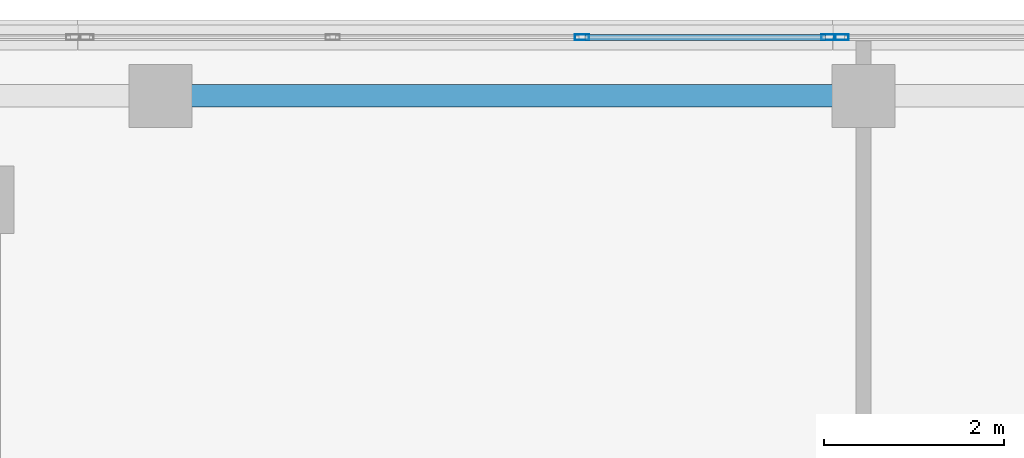
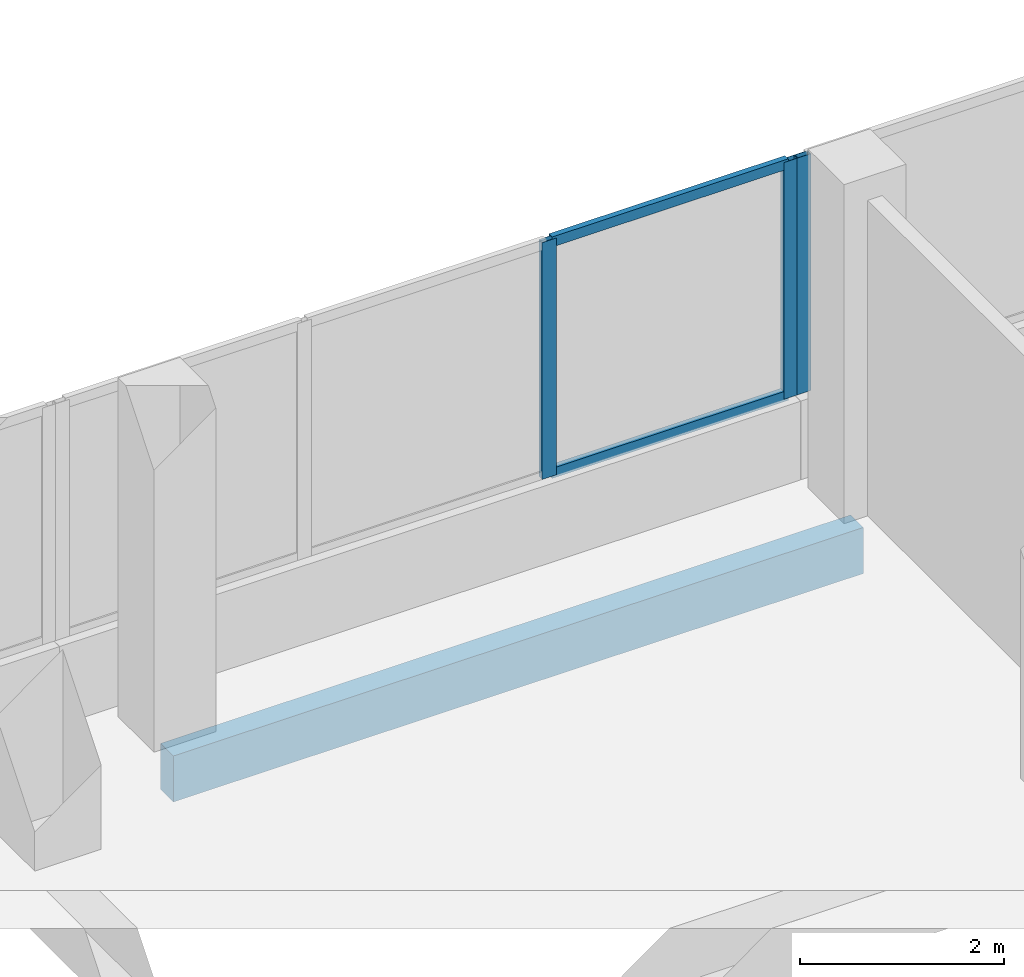
# One storey, part 68 of 101: 5 members, 1 beam, 2 elements without a shape of their own.
"""IFC4 building model written with IfcOpenShell, lengths in metres."""

import ifcopenshell
import ifcopenshell.guid

model = None  # the IFC model being written
_history = None  # IfcOwnerHistory: only IFC2X3 demands one
_inside = {}  # id of a spatial element -> (the spatial element, [elements in it])
_under = {}  # id of a project, library or spatial element -> (it, [spatial elements below it])
_declared = {}  # id of a project -> (the project, [libraries it declares])
_typed = {}  # id of a type object -> (the type object, [elements of that type])
_made_of = {}  # id of a material, layer set ... -> (it, [elements and type objects made of it])


def new_model(schema):
    """Start an empty IFC model of exactly this schema.

    Asked for "IFC4X3", IfcOpenShell would pick the latest addendum, in which some entities
    have other attributes; the version numbers below select the first issue.
    IFC2X3 requires an IfcOwnerHistory on every rooted entity: one is made here for all.
    """
    global model, _history
    if schema == "IFC4X3":
        model = ifcopenshell.file(schema_version=(4, 3, 0, 0))
    else:
        model = ifcopenshell.file(schema=schema)
    _inside.clear()
    _under.clear()
    _declared.clear()
    _typed.clear()
    _made_of.clear()
    _history = None
    if model.schema == "IFC2X3":
        org = make("IfcOrganization", Name="unknown")
        user = make(
            "IfcPersonAndOrganization",
            ThePerson=make("IfcPerson", FamilyName="unknown"),
            TheOrganization=org,
        )
        app = make(
            "IfcApplication",
            ApplicationDeveloper=org,
            Version="unknown",
            ApplicationFullName="unknown",
            ApplicationIdentifier="unknown",
        )
        _history = make(
            "IfcOwnerHistory",
            OwningUser=user,
            OwningApplication=app,
            ChangeAction="ADDED",
            CreationDate=0,
        )
    return model


def make(cls, **values):
    """One entity of the class cls with the attributes given. An attribute that is None is left unset."""
    return model.create_entity(
        cls, **{name: value for name, value in values.items() if value is not None}
    )


def rooted(cls, **values):
    """An entity with a GlobalId (a new one), such as an element, a storey or a relation."""
    return make(cls, GlobalId=ifcopenshell.guid.new(), OwnerHistory=_history, **values)


def si_unit(unit_type, name, prefix=None):
    """IfcSIUnit, for example si_unit("LENGTHUNIT", "METRE", prefix="MILLI")."""
    return make("IfcSIUnit", UnitType=unit_type, Prefix=prefix, Name=name)


def assignment(units):
    """IfcUnitAssignment: the units of a project."""
    return None if units is None else make("IfcUnitAssignment", Units=units)


def point(xyz):
    """IfcCartesianPoint."""
    return None if xyz is None else make("IfcCartesianPoint", Coordinates=xyz)


def direction(xyz):
    """IfcDirection."""
    return None if xyz is None else make("IfcDirection", DirectionRatios=xyz)


def frame(location, z_axis=None, x_axis=None):
    """IfcAxis2Placement3D, a coordinate frame: its origin and axes. An axis left out is left unset."""
    return make(
        "IfcAxis2Placement3D",
        Location=point(location),
        Axis=direction(z_axis),
        RefDirection=direction(x_axis),
    )


def frame_2d(location, x_axis=None):
    """IfcAxis2Placement2D, a coordinate frame in the plane: its origin and x axis."""
    return make(
        "IfcAxis2Placement2D", Location=point(location), RefDirection=direction(x_axis)
    )


def origin():
    """The frame at (0, 0, 0) with its axes left unset."""
    return frame((0.0, 0.0, 0.0))


def origin_2d():
    """The frame at (0, 0) in the plane with its x axis left unset."""
    return frame_2d((0.0, 0.0))


def place(relative_to, where):
    """IfcLocalPlacement: puts the frame where relative to a parent placement (None: the world)."""
    return make(
        "IfcLocalPlacement", PlacementRelTo=relative_to, RelativePlacement=where
    )


def context(
    kind, dimensions, precision=None, world=None, true_north=None, identifier=None
):
    """IfcGeometricRepresentationContext, for example the 3D "Model" context."""
    return make(
        "IfcGeometricRepresentationContext",
        ContextIdentifier=identifier,
        ContextType=kind,
        CoordinateSpaceDimension=dimensions,
        Precision=precision,
        WorldCoordinateSystem=world,
        TrueNorth=true_north,
    )


def subcontext(parent, identifier, kind, view, scale=None):
    """IfcGeometricRepresentationSubContext, for example "Body" below "Model"."""
    return make(
        "IfcGeometricRepresentationSubContext",
        ContextIdentifier=identifier,
        ContextType=kind,
        ParentContext=parent,
        TargetScale=scale,
        TargetView=view,
    )


def project(units=None, contexts=None):
    """IfcProject with its units and contexts."""
    return rooted(
        "IfcProject",
        Name="project",
        RepresentationContexts=contexts,
        UnitsInContext=assignment(units),
    )


def spatial(cls, under=None, at=None, **own):
    """A site, building, storey or space (cls), placed at a placement, below another one or the project."""
    s = rooted(cls, ObjectPlacement=at, **own)
    if under is not None:
        _under.setdefault(under.id(), (under, []))[1].append(s)
    return s


def profile(cls, at=None, kind="AREA", **sizes):
    """A parametric profile (cls). Its sizes go by their IFC names, for example OverallWidth=200.0."""
    return make(cls, ProfileType=kind, Position=at, **sizes)


def rectangle(**sizes):
    """IfcRectangleProfileDef."""
    return profile("IfcRectangleProfileDef", **sizes)


def hollow_rectangle(**sizes):
    """IfcRectangleHollowProfileDef."""
    return profile("IfcRectangleHollowProfileDef", **sizes)


def extrude(swept, where, along, depth):
    """IfcExtrudedAreaSolid: the profile swept, set in the frame where, extruded along a direction by depth."""
    return make(
        "IfcExtrudedAreaSolid",
        SweptArea=swept,
        Position=where,
        ExtrudedDirection=direction(along),
        Depth=depth,
    )


def shape(context_of_items, identifier, shape_type, items):
    """IfcShapeRepresentation: the items that make up one representation, for example the "Body"."""
    return make(
        "IfcShapeRepresentation",
        ContextOfItems=context_of_items,
        RepresentationIdentifier=identifier,
        RepresentationType=shape_type,
        Items=items,
    )


def material(Name=None, Category=None):
    """IfcMaterial."""
    return make("IfcMaterial", Name=Name, Category=Category)


def material_profile(
    of_material, cross_section, Name=None, Category=None, Priority=None
):
    """IfcMaterialProfile: a cross section and its material."""
    return make(
        "IfcMaterialProfile",
        Name=Name,
        Material=of_material,
        Profile=cross_section,
        Priority=Priority,
        Category=Category,
    )


def profile_set(profiles, Name=None, composite=None):
    """IfcMaterialProfileSet."""
    return make(
        "IfcMaterialProfileSet",
        Name=Name,
        MaterialProfiles=profiles,
        CompositeProfile=composite,
    )


def made_of(thing, what):
    """Note that an element or type object is made of a material, layer set ...; save() writes the relation."""
    if what is not None:
        _made_of.setdefault(what.id(), (what, []))[1].append(thing)
    return thing


def type_object(cls, material=None, **own):
    """A type object (cls), such as IfcWallType, which elements share."""
    return made_of(rooted(cls, **own), material)


def element(
    cls,
    number,
    at=None,
    inside=None,
    cuts=None,
    type_object=None,
    material=None,
    context=None,
    identifier="Body",
    shape_type=None,
    held_by="IfcProductDefinitionShape",
    body=None,
    shapes=None,
    **own,
):
    """One element of the class cls, such as IfcWall. Its Tag is "e" and its number.

    at: its placement. inside: the storey or other place that contains it. cuts: it is an
    opening in that element (IfcRelVoidsElement). A single representation is given by context,
    identifier, shape_type and body (its items); several are given by shapes. held_by: the class
    of the entity that holds the representations. save() writes the other relations.
    """
    e = rooted(cls, Tag="e%d" % number, ObjectPlacement=at, **own)
    if body is not None:
        shapes = [shape(context, identifier, shape_type, body)]
    if shapes is not None:
        e.Representation = make(held_by, Representations=shapes)
    if inside is not None:
        _inside.setdefault(inside.id(), (inside, []))[1].append(e)
    if cuts is not None:
        rooted(
            "IfcRelVoidsElement", RelatingBuildingElement=cuts, RelatedOpeningElement=e
        )
    if type_object is not None:
        _typed.setdefault(type_object.id(), (type_object, []))[1].append(e)
    return made_of(e, material)


def aggregate(whole, parts):
    """IfcRelAggregates: a whole, such as a stair, and the parts it consists of."""
    return rooted("IfcRelAggregates", RelatingObject=whole, RelatedObjects=parts)


def save(model, path):
    """Write the relations noted so far, then the file.

    IfcRelAggregates (storeys below a building ...), IfcRelContainedInSpatialStructure (elements
    in a storey), IfcRelDefinesByType, IfcRelAssociatesMaterial and IfcRelDeclares: one each for
    every whole, place, type object, material and project.
    """
    for whole, parts in _under.values():
        aggregate(whole, parts)
    for where, things in _inside.values():
        rooted(
            "IfcRelContainedInSpatialStructure",
            RelatedElements=things,
            RelatingStructure=where,
        )
    for kind, things in _typed.values():
        rooted("IfcRelDefinesByType", RelatedObjects=things, RelatingType=kind)
    for what, things in _made_of.values():
        rooted("IfcRelAssociatesMaterial", RelatedObjects=things, RelatingMaterial=what)
    for by, libraries in _declared.values():
        rooted("IfcRelDeclares", RelatingContext=by, RelatedDefinitions=libraries)
    model.write(path)


model = new_model("IFC4")

# Units and contexts
model_context = context("Model", 3, precision=1e-05, world=origin(), true_north=direction((0.0, 1.0)))
body_context = subcontext(model_context, "Body", "Model", "MODEL_VIEW")
ifc_project = project(units=[si_unit("LENGTHUNIT", "METRE"), si_unit("AREAUNIT", "SQUARE_METRE"), si_unit("VOLUMEUNIT", "CUBIC_METRE"), si_unit("PLANEANGLEUNIT", "RADIAN"), si_unit("MASSUNIT", "GRAM", prefix="KILO")], contexts=[model_context])

# Site, building, storey
site_placement = place(None, origin())
site = spatial("IfcSite", under=ifc_project, at=site_placement, CompositionType="ELEMENT")
building_placement = place(site_placement, origin())
building = spatial("IfcBuilding", under=site, at=building_placement, Name="Selatvlak General Hospital", CompositionType="ELEMENT")
storey_placement = place(building_placement, frame((0.0, 0.0, 19.199951171875)))
storey = spatial("IfcBuildingStorey", under=building, at=storey_placement, Name="L04", CompositionType="ELEMENT", Elevation=19.199951171875)

# Beam
ifc_material_1 = material(Name="Concrete C40/50", Category="concrete")
ifc_material_profile_1 = material_profile(ifc_material_1, rectangle(XDim=0.25, YDim=0.550048828125, at=origin_2d()), Name="RC-SP 250x550")
ifc_profile_set_1 = profile_set([ifc_material_profile_1], Name="Concrete C40/50")
beam_type = type_object("IfcBeamType", Name="BM-SP2", PredefinedType="SPANDREL", material=ifc_profile_set_1)
beam_placement = place(storey_placement, frame((149.39990234375, 119.35009765625, -0.579833984375), z_axis=(1.0, 0.0, 0.0), x_axis=(0.0, 1.0, 0.0)))
element("IfcBeam", 1, at=beam_placement, inside=storey, type_object=beam_type, Name="Beam BMR-L04-1639", PredefinedType="SPANDREL", context=body_context, shape_type="SweptSolid", body=[
    extrude(rectangle(XDim=0.25, YDim=0.550048828125, at=origin_2d()), origin(), (0.0, 0.0, 1.0), 7.800048828125),
])

# Curtain wall, members
ifc_material_2 = material(Name="Solar-control Low-E double glazing", Category="glass")
curtain_wall_type_1 = type_object("IfcCurtainWallType", Name="CW-CW-02", PredefinedType="USERDEFINED", material=ifc_material_2)
curtain_wall_1_placement = place(storey_placement, origin())
curtain_wall_1 = element("IfcCurtainWall", 2, at=curtain_wall_1_placement, inside=storey, type_object=curtain_wall_type_1, Name="Glazed facade curtain wall CW-L04-0496", ObjectType="UNITISED CURTAIN WALL", PredefinedType="USERDEFINED")
ifc_material_3 = material(Name="Dark anodised aluminium mullion", Category="aluminium")
ifc_material_profile_2 = material_profile(ifc_material_3, hollow_rectangle(XDim=0.06494140625, YDim=0.159912109375, WallThickness=0.00390625, at=origin_2d()), Name="AL-MUL 65x160x4")
ifc_profile_set_2 = profile_set([ifc_material_profile_2], Name="Dark anodised aluminium mullion")
member_type_1 = type_object("IfcMemberType", Name="CWM-01", PredefinedType="MULLION", material=ifc_profile_set_2)
member_1_placement = place(storey_placement, frame((154.077392578125, 120.0, 0.93994140625), z_axis=(0.0, 0.0, 1.0), x_axis=(0.0, 1.0, 0.0)))
member_1 = element("IfcMember", 3, at=member_1_placement, type_object=member_type_1, Name="CW-02 mullion 3", PredefinedType="MULLION", context=body_context, shape_type="SweptSolid", body=[
    extrude(hollow_rectangle(XDim=0.06494140625, YDim=0.159912109375, WallThickness=0.00390625, at=origin_2d()), origin(), (0.0, 0.0, 1.0), 2.830078125),
])
member_2_placement = place(storey_placement, frame((156.8115234375, 120.0, 0.93994140625), z_axis=(0.0, 0.0, 1.0), x_axis=(0.0, 1.0, 0.0)))
member_2 = element("IfcMember", 4, at=member_2_placement, type_object=member_type_1, Name="CW-02 mullion 4", PredefinedType="MULLION", context=body_context, shape_type="SweptSolid", body=[
    extrude(hollow_rectangle(XDim=0.06494140625, YDim=0.159912109375, WallThickness=0.00390625, at=origin_2d()), origin(), (0.0, 0.0, 1.0), 2.830078125),
])

# Curtain wall, member
curtain_wall_type_2 = type_object("IfcCurtainWallType", Name="CW-CW-01", PredefinedType="USERDEFINED", material=ifc_material_2)
curtain_wall_2_placement = place(storey_placement, origin())
curtain_wall_2 = element("IfcCurtainWall", 5, at=curtain_wall_2_placement, inside=storey, type_object=curtain_wall_type_2, Name="Glazed facade curtain wall CW-L04-0497", ObjectType="UNITISED CURTAIN WALL", PredefinedType="USERDEFINED")
member_3_placement = place(storey_placement, frame((156.95654296875, 120.0, 0.93994140625), z_axis=(0.0, 0.0, 1.0), x_axis=(0.0, 1.0, 0.0)))
member_3 = element("IfcMember", 6, at=member_3_placement, type_object=member_type_1, Name="CW-01 mullion 1", PredefinedType="MULLION", context=body_context, shape_type="SweptSolid", body=[
    extrude(hollow_rectangle(XDim=0.06494140625, YDim=0.159912109375, WallThickness=0.00390625, at=origin_2d()), origin(), (0.0, 0.0, 1.0), 2.830078125),
])
aggregate(curtain_wall_2, [member_3])

# Member
ifc_material_profile_3 = material_profile(ifc_material_3, hollow_rectangle(XDim=0.06494140625, YDim=0.1201171875, WallThickness=0.00390625, at=origin_2d()), Name="AL-TRN 65x120x4")
ifc_profile_set_3 = profile_set([ifc_material_profile_3], Name="Dark anodised aluminium mullion")
member_type_2 = type_object("IfcMemberType", Name="CWT-01", PredefinedType="USERDEFINED", material=ifc_profile_set_3)
member_4_placement = place(storey_placement, frame((154.10986328125, 120.0, 0.97265625), z_axis=(1.0, 0.0, 0.0), x_axis=(0.0, 1.0, 0.0)))
member_4 = element("IfcMember", 7, at=member_4_placement, type_object=member_type_2, Name="CW-02 transom 3.1", ObjectType="TRANSOM", PredefinedType="USERDEFINED", context=body_context, shape_type="SweptSolid", body=[
    extrude(hollow_rectangle(XDim=0.06494140625, YDim=0.1201171875, WallThickness=0.00390625, at=origin_2d()), origin(), (0.0, 0.0, 1.0), 2.669189453125),
])

member_5_placement = place(storey_placement, frame((154.10986328125, 120.0, 3.737548828125), z_axis=(1.0, 0.0, 0.0), x_axis=(0.0, 1.0, 0.0)))
member_5 = element("IfcMember", 8, at=member_5_placement, type_object=member_type_2, Name="CW-02 transom 3.2", ObjectType="TRANSOM", PredefinedType="USERDEFINED", context=body_context, shape_type="SweptSolid", body=[
    extrude(hollow_rectangle(XDim=0.06494140625, YDim=0.1201171875, WallThickness=0.00390625, at=origin_2d()), origin(), (0.0, 0.0, 1.0), 2.669189453125),
])

aggregate(curtain_wall_1, [member_1, member_2, member_4, member_5])

save(model, "model.ifc")
